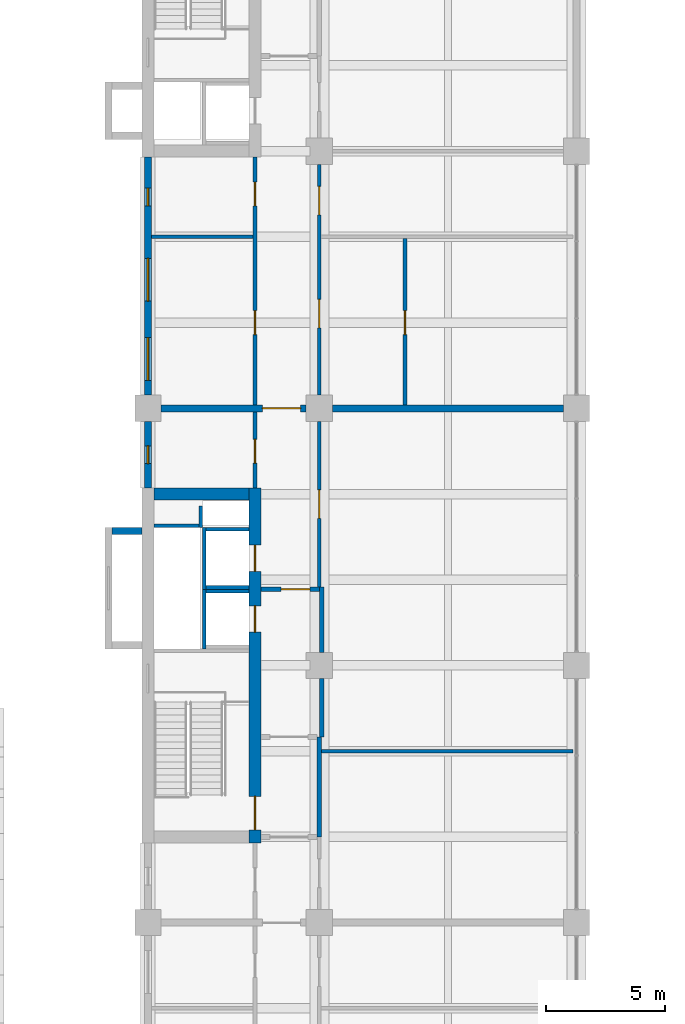
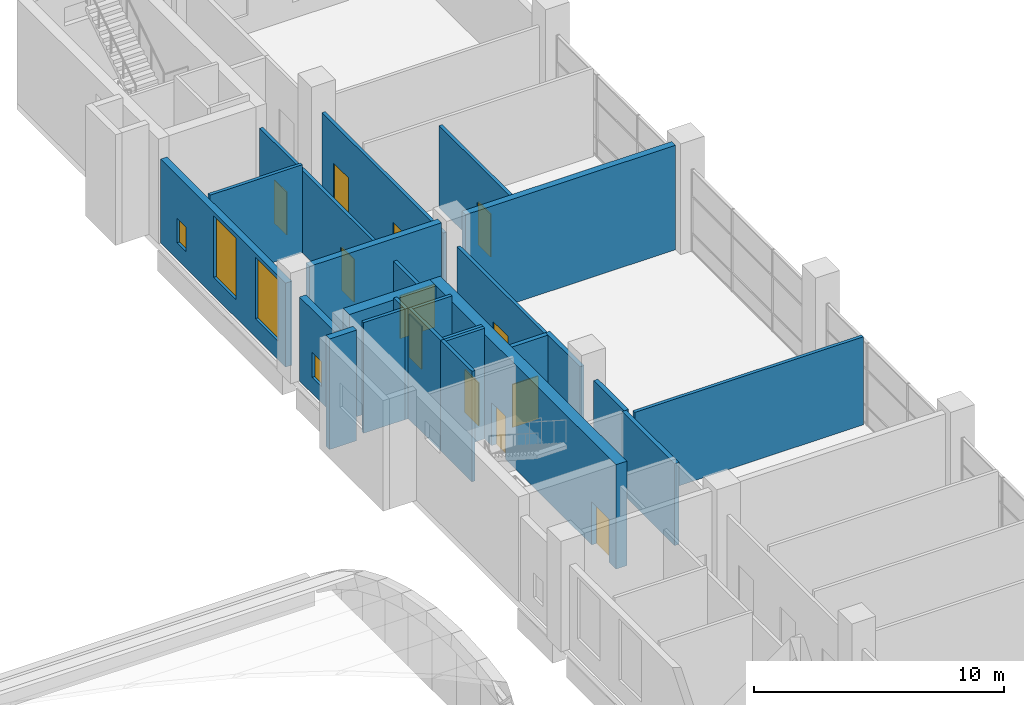
# One storey, part 18 of 32: 25 walls, 12 doors, 4 windows, 16 openings.
"""IFC4 building model written with IfcOpenShell, lengths in metres."""

from ifc_helpers import new_model, si_unit, direction, frame, frame_2d, origin, place, context, subcontext, project, spatial, rectangle, extrude, material, layer, layer_set, type_object, element, fill, save


model = new_model("IFC4")

# Units and contexts
model_context = context("Model", 3, precision=1e-05, world=origin(), true_north=direction((0.0, 1.0)))
body_context = subcontext(model_context, "Body", "Model", "MODEL_VIEW")
ifc_project = project(units=[si_unit("LENGTHUNIT", "METRE"), si_unit("AREAUNIT", "SQUARE_METRE"), si_unit("VOLUMEUNIT", "CUBIC_METRE"), si_unit("PLANEANGLEUNIT", "RADIAN"), si_unit("MASSUNIT", "GRAM", prefix="KILO")], contexts=[model_context])

# Site, building, storey
site_placement = place(None, origin())
site = spatial("IfcSite", under=ifc_project, at=site_placement, CompositionType="ELEMENT")
building_placement = place(site_placement, origin())
building = spatial("IfcBuilding", under=site, at=building_placement, Name="Basin Gate Institute", CompositionType="ELEMENT")
storey_placement = place(building_placement, frame((0.0, 0.0, 11.39990234375)))
storey = spatial("IfcBuildingStorey", under=building, at=storey_placement, Name="L02", CompositionType="ELEMENT", Elevation=11.39990234375)

# Wall
ifc_material_1 = material(Name="Fire-rated masonry", Category="masonry")
ifc_layer_1 = layer(ifc_material_1, 0.199951171875)
ifc_layer_set_1 = layer_set([ifc_layer_1], Name="Enclosure wall PW2 200 EI 60")
wall_type_1 = type_object("IfcWallType", Name="Enclosure wall PW2 200 EI 60", PredefinedType="PARTITIONING", material=ifc_layer_set_1)
wall_1_placement = place(storey_placement, frame((68.39990234375, 60.300048828125, 0.0), z_axis=(0.0, 0.0, 1.0), x_axis=(0.0, 1.0, 0.0)))
element("IfcWall", 1, at=wall_1_placement, inside=storey, type_object=wall_type_1, material=ifc_layer_set_1, Name="Smoke lobby enclosure wall PW2 L02", PredefinedType="PARTITIONING", context=body_context, shape_type="SweptSolid", body=[
    extrude(rectangle(XDim=4.199951171875, YDim=0.199951171875, at=frame_2d((2.10009765625, 0.0))), origin(), (0.0, 0.0, 1.0), 4.0),
])

# Wall, opening, door
wall_2_placement = place(storey_placement, frame((65.949951171875, 70.699951171875, 0.0), z_axis=(0.0, 0.0, 1.0), x_axis=(1.0, 0.0, 0.0)))
wall_2 = element("IfcWall", 2, at=wall_2_placement, inside=storey, type_object=wall_type_1, material=ifc_layer_set_1, Name="Emergency lift lobby wall PW2 L02", PredefinedType="PARTITIONING", context=body_context, shape_type="SweptSolid", body=[
    extrude(rectangle(XDim=2.449951171875, YDim=0.199951171875, at=frame_2d((1.22509765625, 0.0))), origin(), (0.0, 0.0, 1.0), 4.0),
])
opening_1_placement = place(wall_2_placement, frame((0.85009765625, 0.0, 0.0)))
opening_1 = element("IfcOpeningElement", 3, at=opening_1_placement, cuts=wall_2, Name="Opening DR141", PredefinedType="OPENING", context=body_context, shape_type="SweptSolid", body=[
    extrude(rectangle(XDim=1.199951171875, YDim=2.10009765625, at=frame_2d((0.60009765625, 1.050048828125))), frame((0.0, 0.10986328125, 0.0), z_axis=(0.0, -1.0, 0.0), x_axis=(1.0, 0.0, 0.0)), (0.0, 0.0, 1.0), 0.219970703125),
])
ifc_material_2 = material(Name="Steel fire door", Category="steel")
door_type_1 = type_object("IfcDoorType", Name="FD60 Emergency lift lobby door D9", OperationType="NOTDEFINED", PredefinedType="DOOR", material=ifc_material_2)
door_1_placement = place(opening_1_placement, frame((1.199951171875, 0.0, 0.0), z_axis=(0.0, 0.0, 1.0), x_axis=(-1.0, 0.0, 0.0)))
door_1 = element("IfcDoor", 4, at=door_1_placement, inside=storey, type_object=door_type_1, material=ifc_material_2, Name="Emergency lift lobby door LF1 L02", OperationType="SINGLE_SWING_LEFT", OverallHeight=2.10009765625, OverallWidth=1.199951171875, PredefinedType="DOOR", context=body_context, shape_type="SweptSolid", body=[
    extrude(rectangle(XDim=1.199951171875, YDim=2.10009765625, at=frame_2d((0.60009765625, 1.050048828125))), frame((0.0, 0.02490234375, 0.0), z_axis=(0.0, -1.0, 0.0), x_axis=(1.0, 0.0, 0.0)), (0.0, 0.0, 1.0), 0.050048828125),
])
fill(opening_1, door_1)

# Walls
wall_3_placement = place(storey_placement, frame((68.5, 64.5, 0.0), z_axis=(0.0, 0.0, 1.0), x_axis=(0.0, 1.0, 0.0)))
element("IfcWall", 5, at=wall_3_placement, inside=storey, type_object=wall_type_1, material=ifc_layer_set_1, Name="Emergency lift lobby wall PW2 L02", PredefinedType="PARTITIONING", context=body_context, shape_type="SweptSolid", body=[
    extrude(rectangle(XDim=2.449951171875, YDim=0.199951171875, at=frame_2d((1.22509765625, 0.0))), origin(), (0.0, 0.0, 1.0), 4.0),
])
wall_4_placement = place(storey_placement, frame((68.5, 68.050048828125, 0.0), z_axis=(0.0, 0.0, 1.0), x_axis=(0.0, 1.0, 0.0)))
element("IfcWall", 6, at=wall_4_placement, inside=storey, type_object=wall_type_1, material=ifc_layer_set_1, Name="Emergency lift lobby wall PW2 L02", PredefinedType="PARTITIONING", context=body_context, shape_type="SweptSolid", body=[
    extrude(rectangle(XDim=2.75, YDim=0.199951171875, at=frame_2d((1.375, 0.0))), origin(), (0.0, 0.0, 1.0), 4.0),
])

# Wall, opening, window
ifc_material_3 = material(Name="Aluminium-faced insulated panel wall", Category="aluminium")
ifc_layer_2 = layer(ifc_material_3, 0.300048828125)
ifc_layer_set_2 = layer_set([ifc_layer_2], Name="External wall EW1 EI 120")
wall_type_2 = type_object("IfcWallType", Name="External wall EW1 EI 120", PredefinedType="STANDARD", material=ifc_layer_set_2)
wall_5_placement = place(storey_placement, frame((61.199951171875, 74.949951171875, 0.0), z_axis=(0.0, 0.0, 1.0), x_axis=(0.0, 1.0, 0.0)))
wall_5 = element("IfcWall", 7, at=wall_5_placement, inside=storey, type_object=wall_type_2, material=ifc_layer_set_2, Name="External wall W facade L02 3", PredefinedType="STANDARD", context=body_context, shape_type="SweptSolid", body=[
    extrude(rectangle(XDim=2.800048828125, YDim=0.300048828125, at=frame_2d((1.39990234375, 0.0))), origin(), (0.0, 0.0, 1.0), 4.10009765625),
])
opening_2_placement = place(wall_5_placement, frame((1.02490234375, 0.0, 0.800048828125)))
opening_2 = element("IfcOpeningElement", 8, at=opening_2_placement, cuts=wall_5, Name="Opening WN3", PredefinedType="OPENING", context=body_context, shape_type="SweptSolid", body=[
    extrude(rectangle(XDim=0.75, YDim=1.199951171875, at=frame_2d((0.375, 0.60009765625))), frame((0.0, 0.16015625, 0.0), z_axis=(0.0, -1.0, 0.0), x_axis=(1.0, 0.0, 0.0)), (0.0, 0.0, 1.0), 0.320068359375),
])
ifc_material_4 = material(Name="Aluminium-framed double glazing", Category="aluminium")
window_type_1 = type_object("IfcWindowType", Name="Emergency entry panel WN3", PartitioningType="SINGLE_PANEL", PredefinedType="WINDOW", material=ifc_material_4)
window_1_placement = place(opening_2_placement, origin())
window_1 = element("IfcWindow", 9, at=window_1_placement, inside=storey, type_object=window_type_1, material=ifc_material_4, Name="Emergency entry panel W facade L02 bay 12", OverallHeight=1.199951171875, OverallWidth=0.75, PartitioningType="SINGLE_PANEL", PredefinedType="WINDOW", context=body_context, shape_type="SweptSolid", body=[
    extrude(rectangle(XDim=0.75, YDim=1.199951171875, at=frame_2d((0.375, 0.60009765625))), frame((0.0, 0.030029296875, 0.0), z_axis=(0.0, -1.0, 0.0), x_axis=(1.0, 0.0, 0.0)), (0.0, 0.0, 1.0), 0.06005859375),
])
fill(opening_2, window_1)

# Wall, openings, windows
wall_6_placement = place(storey_placement, frame((61.199951171875, 78.85009765625, 0.0), z_axis=(0.0, 0.0, 1.0), x_axis=(0.0, 1.0, 0.0)))
wall_6 = element("IfcWall", 10, at=wall_6_placement, inside=storey, type_object=wall_type_2, material=ifc_layer_set_2, Name="External wall W facade L02 4", PredefinedType="STANDARD", context=body_context, shape_type="SweptSolid", body=[
    extrude(rectangle(XDim=10.0, YDim=0.300048828125, at=frame_2d((5.0, 0.0))), origin(), (0.0, 0.0, 1.0), 4.10009765625),
])
opening_3_placement = place(wall_6_placement, frame((0.625, 0.0, 0.89990234375)))
opening_3 = element("IfcOpeningElement", 11, at=opening_3_placement, cuts=wall_6, Name="Opening WN2", PredefinedType="OPENING", context=body_context, shape_type="SweptSolid", body=[
    extrude(rectangle(XDim=1.800048828125, YDim=3.0, at=frame_2d((0.89990234375, 1.5))), frame((0.0, 0.16015625, 0.0), z_axis=(0.0, -1.0, 0.0), x_axis=(1.0, 0.0, 0.0)), (0.0, 0.0, 1.0), 0.320068359375),
])
opening_4_placement = place(wall_6_placement, frame((3.949951171875, 0.0, 0.89990234375)))
opening_4 = element("IfcOpeningElement", 12, at=opening_4_placement, cuts=wall_6, Name="Opening WN2", PredefinedType="OPENING", context=body_context, shape_type="SweptSolid", body=[
    extrude(rectangle(XDim=1.800048828125, YDim=3.0, at=frame_2d((0.89990234375, 1.5))), frame((0.0, 0.16015625, 0.0), z_axis=(0.0, -1.0, 0.0), x_axis=(1.0, 0.0, 0.0)), (0.0, 0.0, 1.0), 0.320068359375),
])
opening_5_placement = place(wall_6_placement, frame((7.949951171875, 0.0, 0.800048828125)))
opening_5 = element("IfcOpeningElement", 13, at=opening_5_placement, cuts=wall_6, Name="Opening WN3", PredefinedType="OPENING", context=body_context, shape_type="SweptSolid", body=[
    extrude(rectangle(XDim=0.75, YDim=1.199951171875, at=frame_2d((0.375, 0.60009765625))), frame((0.0, 0.16015625, 0.0), z_axis=(0.0, -1.0, 0.0), x_axis=(1.0, 0.0, 0.0)), (0.0, 0.0, 1.0), 0.320068359375),
])
window_2_placement = place(opening_5_placement, origin())
window_2 = element("IfcWindow", 14, at=window_2_placement, inside=storey, type_object=window_type_1, material=ifc_material_4, Name="Emergency entry panel W facade L02 bay 15", OverallHeight=1.199951171875, OverallWidth=0.75, PartitioningType="SINGLE_PANEL", PredefinedType="WINDOW", context=body_context, shape_type="SweptSolid", body=[
    extrude(rectangle(XDim=0.75, YDim=1.199951171875, at=frame_2d((0.375, 0.60009765625))), frame((0.0, 0.030029296875, 0.0), z_axis=(0.0, -1.0, 0.0), x_axis=(1.0, 0.0, 0.0)), (0.0, 0.0, 1.0), 0.06005859375),
])
fill(opening_5, window_2)
ifc_material_5 = material(Name="Aluminium-framed double glazing", Category="aluminium")
window_type_2 = type_object("IfcWindowType", Name="Podium window WN2", PartitioningType="SINGLE_PANEL", PredefinedType="WINDOW", material=ifc_material_5)
window_3_placement = place(opening_3_placement, origin())
window_3 = element("IfcWindow", 15, at=window_3_placement, inside=storey, type_object=window_type_2, material=ifc_material_5, Name="Podium window W facade L02 bay 13", OverallHeight=3.0, OverallWidth=1.800048828125, PartitioningType="SINGLE_PANEL", PredefinedType="WINDOW", context=body_context, shape_type="SweptSolid", body=[
    extrude(rectangle(XDim=1.800048828125, YDim=3.0, at=frame_2d((0.89990234375, 1.5))), frame((0.0, 0.030029296875, 0.0), z_axis=(0.0, -1.0, 0.0), x_axis=(1.0, 0.0, 0.0)), (0.0, 0.0, 1.0), 0.06005859375),
])
fill(opening_3, window_3)
window_4_placement = place(opening_4_placement, origin())
window_4 = element("IfcWindow", 16, at=window_4_placement, inside=storey, type_object=window_type_2, material=ifc_material_5, Name="Podium window W facade L02 bay 14", OverallHeight=3.0, OverallWidth=1.800048828125, PartitioningType="SINGLE_PANEL", PredefinedType="WINDOW", context=body_context, shape_type="SweptSolid", body=[
    extrude(rectangle(XDim=1.800048828125, YDim=3.0, at=frame_2d((0.89990234375, 1.5))), frame((0.0, 0.030029296875, 0.0), z_axis=(0.0, -1.0, 0.0), x_axis=(1.0, 0.0, 0.0)), (0.0, 0.0, 1.0), 0.06005859375),
])
fill(opening_4, window_4)

# Wall, opening, door
ifc_material_6 = material(Name="Gypsum board on steel stud", Category="steel")
ifc_layer_3 = layer(ifc_material_6, 0.14990234375)
ifc_layer_set_3 = layer_set([ifc_layer_3], Name="Gypsum board on steel stud")
wall_type_3 = type_object("IfcWallType", Name="Partition PW1 150 EI 60", PredefinedType="PARTITIONING", material=ifc_layer_set_3)
wall_7_placement = place(storey_placement, frame((65.699951171875, 74.949951171875, 0.0), z_axis=(0.0, 0.0, 1.0), x_axis=(0.0, 1.0, 0.0)))
wall_7 = element("IfcWall", 17, at=wall_7_placement, inside=storey, type_object=wall_type_3, material=ifc_layer_set_3, Name="Corridor wall PW1 L02", PredefinedType="PARTITIONING", context=body_context, shape_type="SweptSolid", body=[
    extrude(rectangle(XDim=3.199951171875, YDim=0.14990234375, at=frame_2d((1.60009765625, 0.0))), origin(), (0.0, 0.0, 1.0), 4.0),
])
opening_6_placement = place(wall_7_placement, frame((1.050048828125, 0.0, 0.0)))
opening_6 = element("IfcOpeningElement", 18, at=opening_6_placement, cuts=wall_7, Name="Opening DR136", PredefinedType="OPENING", context=body_context, shape_type="SweptSolid", body=[
    extrude(rectangle(XDim=1.0, YDim=2.10009765625, at=frame_2d((0.5, 1.050048828125))), frame((0.0, 0.0849609375, 0.0), z_axis=(0.0, -1.0, 0.0), x_axis=(1.0, 0.0, 0.0)), (0.0, 0.0, 1.0), 0.169921875),
])
ifc_material_7 = material(Name="Timber fire door", Category="wood")
door_type_2 = type_object("IfcDoorType", Name="FD30 Office door D1", OperationType="NOTDEFINED", PredefinedType="DOOR", material=ifc_material_7)
door_2_placement = place(opening_6_placement, origin())
door_2 = element("IfcDoor", 19, at=door_2_placement, inside=storey, type_object=door_type_2, material=ifc_material_7, Name="Door to Write-up Office 0205 L02", OperationType="SINGLE_SWING_LEFT", OverallHeight=2.10009765625, OverallWidth=1.0, PredefinedType="DOOR", context=body_context, shape_type="SweptSolid", body=[
    extrude(rectangle(XDim=1.0, YDim=2.10009765625, at=frame_2d((0.5, 1.050048828125))), frame((0.0, 0.02490234375, 0.0), z_axis=(0.0, -1.0, 0.0), x_axis=(1.0, 0.0, 0.0)), (0.0, 0.0, 1.0), 0.050048828125),
])
fill(opening_6, door_2)

# Wall, openings, doors
wall_8_placement = place(storey_placement, frame((65.699951171875, 78.449951171875, 0.0), z_axis=(0.0, 0.0, 1.0), x_axis=(0.0, 1.0, 0.0)))
wall_8 = element("IfcWall", 20, at=wall_8_placement, inside=storey, type_object=wall_type_3, material=ifc_layer_set_3, Name="Corridor wall PW1 L02", PredefinedType="PARTITIONING", context=body_context, shape_type="SweptSolid", body=[
    extrude(rectangle(XDim=10.400146484375, YDim=0.14990234375, at=frame_2d((5.2001953125, 0.0))), origin(), (0.0, 0.0, 1.0), 4.0),
])
opening_7_placement = place(wall_8_placement, frame((2.949951171875, 0.0, 0.0)))
opening_7 = element("IfcOpeningElement", 21, at=opening_7_placement, cuts=wall_8, Name="Opening DR137", PredefinedType="OPENING", context=body_context, shape_type="SweptSolid", body=[
    extrude(rectangle(XDim=1.0, YDim=2.10009765625, at=frame_2d((0.5, 1.050048828125))), frame((0.0, 0.0849609375, 0.0), z_axis=(0.0, -1.0, 0.0), x_axis=(1.0, 0.0, 0.0)), (0.0, 0.0, 1.0), 0.169921875),
])
opening_8_placement = place(wall_8_placement, frame((8.35009765625, 0.0, 0.0)))
opening_8 = element("IfcOpeningElement", 22, at=opening_8_placement, cuts=wall_8, Name="Opening DR138", PredefinedType="OPENING", context=body_context, shape_type="SweptSolid", body=[
    extrude(rectangle(XDim=1.0, YDim=2.10009765625, at=frame_2d((0.5, 1.050048828125))), frame((0.0, 0.0849609375, 0.0), z_axis=(0.0, -1.0, 0.0), x_axis=(1.0, 0.0, 0.0)), (0.0, 0.0, 1.0), 0.169921875),
])
door_3_placement = place(opening_7_placement, origin())
door_3 = element("IfcDoor", 23, at=door_3_placement, inside=storey, type_object=door_type_2, material=ifc_material_7, Name="Door to Write-up Office 0206 L02", OperationType="SINGLE_SWING_LEFT", OverallHeight=2.10009765625, OverallWidth=1.0, PredefinedType="DOOR", context=body_context, shape_type="SweptSolid", body=[
    extrude(rectangle(XDim=1.0, YDim=2.10009765625, at=frame_2d((0.5, 1.050048828125))), frame((0.0, 0.02490234375, 0.0), z_axis=(0.0, -1.0, 0.0), x_axis=(1.0, 0.0, 0.0)), (0.0, 0.0, 1.0), 0.050048828125),
])
fill(opening_7, door_3)
door_4_placement = place(opening_8_placement, origin())
door_4 = element("IfcDoor", 24, at=door_4_placement, inside=storey, type_object=door_type_2, material=ifc_material_7, Name="Door to Write-up Office 0207 L02", OperationType="SINGLE_SWING_RIGHT", OverallHeight=2.10009765625, OverallWidth=1.0, PredefinedType="DOOR", context=body_context, shape_type="SweptSolid", body=[
    extrude(rectangle(XDim=1.0, YDim=2.10009765625, at=frame_2d((0.5, 1.050048828125))), frame((0.0, 0.02490234375, 0.0), z_axis=(0.0, -1.0, 0.0), x_axis=(1.0, 0.0, 0.0)), (0.0, 0.0, 1.0), 0.050048828125),
])
fill(opening_8, door_4)

# Wall, opening, door
wall_9_placement = place(storey_placement, frame((68.39990234375, 70.800048828125, 0.0), z_axis=(0.0, 0.0, 1.0), x_axis=(0.0, 1.0, 0.0)))
wall_9 = element("IfcWall", 25, at=wall_9_placement, inside=storey, type_object=wall_type_3, material=ifc_layer_set_3, Name="Laboratory corridor wall PW1 L02", PredefinedType="PARTITIONING", context=body_context, shape_type="SweptSolid", body=[
    extrude(rectangle(XDim=6.949951171875, YDim=0.14990234375, at=frame_2d((3.47509765625, 0.0))), origin(), (0.0, 0.0, 1.0), 4.0),
])
opening_9_placement = place(wall_9_placement, frame((2.875, 0.0, 0.0)))
opening_9 = element("IfcOpeningElement", 26, at=opening_9_placement, cuts=wall_9, Name="Opening DR134", PredefinedType="OPENING", context=body_context, shape_type="SweptSolid", body=[
    extrude(rectangle(XDim=1.199951171875, YDim=2.10009765625, at=frame_2d((0.60009765625, 1.050048828125))), frame((0.0, 0.0849609375, 0.0), z_axis=(0.0, -1.0, 0.0), x_axis=(1.0, 0.0, 0.0)), (0.0, 0.0, 1.0), 0.169921875),
])
ifc_material_8 = material(Name="Timber fire door", Category="wood")
door_type_3 = type_object("IfcDoorType", Name="FD30 Laboratory door D2", OperationType="DOUBLE_DOOR_SINGLE_SWING", PredefinedType="DOOR", material=ifc_material_8)
door_5_placement = place(opening_9_placement, frame((1.199951171875, 0.0, 0.0), z_axis=(0.0, 0.0, 1.0), x_axis=(-1.0, 0.0, 0.0)))
door_5 = element("IfcDoor", 27, at=door_5_placement, inside=storey, type_object=door_type_3, material=ifc_material_8, Name="Door to Seminar Room 0221 L02", OperationType="DOUBLE_DOOR_SINGLE_SWING", OverallHeight=2.10009765625, OverallWidth=1.199951171875, PredefinedType="DOOR", context=body_context, shape_type="SweptSolid", body=[
    extrude(rectangle(XDim=1.199951171875, YDim=2.10009765625, at=frame_2d((0.60009765625, 1.050048828125))), frame((0.0, 0.02490234375, 0.0), z_axis=(0.0, -1.0, 0.0), x_axis=(1.0, 0.0, 0.0)), (0.0, 0.0, 1.0), 0.050048828125),
])
fill(opening_9, door_5)

# Wall, openings, doors
wall_10_placement = place(storey_placement, frame((68.39990234375, 78.85009765625, 0.0), z_axis=(0.0, 0.0, 1.0), x_axis=(0.0, 1.0, 0.0)))
wall_10 = element("IfcWall", 28, at=wall_10_placement, inside=storey, type_object=wall_type_3, material=ifc_layer_set_3, Name="Laboratory corridor wall PW1 L02", PredefinedType="PARTITIONING", context=body_context, shape_type="SweptSolid", body=[
    extrude(rectangle(XDim=9.699951171875, YDim=0.14990234375, at=frame_2d((4.85009765625, 0.0))), origin(), (0.0, 0.0, 1.0), 4.0),
])
opening_10_placement = place(wall_10_placement, frame((2.824951171875, 0.0, 0.0)))
opening_10 = element("IfcOpeningElement", 29, at=opening_10_placement, cuts=wall_10, Name="Opening DR129", PredefinedType="OPENING", context=body_context, shape_type="SweptSolid", body=[
    extrude(rectangle(XDim=1.199951171875, YDim=2.10009765625, at=frame_2d((0.60009765625, 1.050048828125))), frame((0.0, 0.0849609375, 0.0), z_axis=(0.0, -1.0, 0.0), x_axis=(1.0, 0.0, 0.0)), (0.0, 0.0, 1.0), 0.169921875),
])
opening_11_placement = place(wall_10_placement, frame((7.574951171875, 0.0, 0.0)))
opening_11 = element("IfcOpeningElement", 30, at=opening_11_placement, cuts=wall_10, Name="Opening DR131", PredefinedType="OPENING", context=body_context, shape_type="SweptSolid", body=[
    extrude(rectangle(XDim=1.199951171875, YDim=2.10009765625, at=frame_2d((0.60009765625, 1.050048828125))), frame((0.0, 0.0849609375, 0.0), z_axis=(0.0, -1.0, 0.0), x_axis=(1.0, 0.0, 0.0)), (0.0, 0.0, 1.0), 0.169921875),
])
door_6_placement = place(opening_10_placement, frame((1.199951171875, 0.0, 0.0), z_axis=(0.0, 0.0, 1.0), x_axis=(-1.0, 0.0, 0.0)))
door_6 = element("IfcDoor", 31, at=door_6_placement, inside=storey, type_object=door_type_3, material=ifc_material_8, Name="Door to Gowning Airlock 0222 L02", OperationType="DOUBLE_DOOR_SINGLE_SWING", OverallHeight=2.10009765625, OverallWidth=1.199951171875, PredefinedType="DOOR", context=body_context, shape_type="SweptSolid", body=[
    extrude(rectangle(XDim=1.199951171875, YDim=2.10009765625, at=frame_2d((0.60009765625, 1.050048828125))), frame((0.0, 0.02490234375, 0.0), z_axis=(0.0, -1.0, 0.0), x_axis=(1.0, 0.0, 0.0)), (0.0, 0.0, 1.0), 0.050048828125),
])
fill(opening_10, door_6)
door_7_placement = place(opening_11_placement, frame((1.199951171875, 0.0, 0.0), z_axis=(0.0, 0.0, 1.0), x_axis=(-1.0, 0.0, 0.0)))
door_7 = element("IfcDoor", 32, at=door_7_placement, inside=storey, type_object=door_type_3, material=ifc_material_8, Name="Door to Meeting Room 0224 L02", OperationType="DOUBLE_DOOR_SINGLE_SWING", OverallHeight=2.10009765625, OverallWidth=1.199951171875, PredefinedType="DOOR", context=body_context, shape_type="SweptSolid", body=[
    extrude(rectangle(XDim=1.199951171875, YDim=2.10009765625, at=frame_2d((0.60009765625, 1.050048828125))), frame((0.0, 0.02490234375, 0.0), z_axis=(0.0, -1.0, 0.0), x_axis=(1.0, 0.0, 0.0)), (0.0, 0.0, 1.0), 0.050048828125),
])
fill(opening_11, door_7)

# Wall, opening, door
wall_11_placement = place(storey_placement, frame((72.0, 78.449951171875, 0.0), z_axis=(0.0, 0.0, 1.0), x_axis=(0.0, 1.0, 0.0)))
wall_11 = element("IfcWall", 33, at=wall_11_placement, inside=storey, type_object=wall_type_3, material=ifc_layer_set_3, Name="Clean room wall PW1 L02", PredefinedType="PARTITIONING", context=body_context, shape_type="SweptSolid", body=[
    extrude(rectangle(XDim=6.97509765625, YDim=0.14990234375, at=frame_2d((3.487548828125, 0.0))), origin(), (0.0, 0.0, 1.0), 4.0),
])
opening_12_placement = place(wall_11_placement, frame((2.949951171875, 0.0, 0.0)))
opening_12 = element("IfcOpeningElement", 34, at=opening_12_placement, cuts=wall_11, Name="Opening DR124", PredefinedType="OPENING", context=body_context, shape_type="SweptSolid", body=[
    extrude(rectangle(XDim=1.0, YDim=2.10009765625, at=frame_2d((0.5, 1.050048828125))), frame((0.0, 0.0849609375, 0.0), z_axis=(0.0, -1.0, 0.0), x_axis=(1.0, 0.0, 0.0)), (0.0, 0.0, 1.0), 0.169921875),
])
ifc_material_9 = material(Name="Steel fire door", Category="steel")
door_type_4 = type_object("IfcDoorType", Name="FD30 Airlock door D5", OperationType="NOTDEFINED", PredefinedType="DOOR", material=ifc_material_9)
door_8_placement = place(opening_12_placement, frame((1.0, 0.0, 0.0), z_axis=(0.0, 0.0, 1.0), x_axis=(-1.0, 0.0, 0.0)))
door_8 = element("IfcDoor", 35, at=door_8_placement, inside=storey, type_object=door_type_4, material=ifc_material_9, Name="Clean room entry door Clean Room ISO 6 0222 L02", OperationType="SINGLE_SWING_RIGHT", OverallHeight=2.10009765625, OverallWidth=1.0, PredefinedType="DOOR", context=body_context, shape_type="SweptSolid", body=[
    extrude(rectangle(XDim=1.0, YDim=2.10009765625, at=frame_2d((0.5, 1.050048828125))), frame((0.0, 0.02490234375, 0.0), z_axis=(0.0, -1.0, 0.0), x_axis=(1.0, 0.0, 0.0)), (0.0, 0.0, 1.0), 0.050048828125),
])
fill(opening_12, door_8)

# Walls
wall_12_placement = place(storey_placement, frame((68.5, 63.89990234375, 0.0), z_axis=(0.0, 0.0, 1.0), x_axis=(1.0, 0.0, 0.0)))
element("IfcWall", 36, at=wall_12_placement, inside=storey, type_object=wall_type_3, material=ifc_layer_set_3, Name="Laboratory partition PW1 L02", PredefinedType="PARTITIONING", context=body_context, shape_type="SweptSolid", body=[
    extrude(rectangle(XDim=10.550048828125, YDim=0.14990234375, at=frame_2d((5.27490234375, 0.0))), origin(), (0.0, 0.0, 1.0), 4.300048828125),
])
ifc_material_10 = material(Name="Gypsum board on steel stud", Category="steel")
ifc_layer_4 = layer(ifc_material_10, 0.14990234375)
ifc_layer_set_4 = layer_set([ifc_layer_4], Name="Gypsum board on steel stud")
wall_type_4 = type_object("IfcWallType", Name="Partition PW4 150", PredefinedType="PARTITIONING", material=ifc_layer_set_4)
wall_13_placement = place(storey_placement, frame((61.35009765625, 85.5, 0.0), z_axis=(0.0, 0.0, 1.0), x_axis=(1.0, 0.0, 0.0)))
element("IfcWall", 37, at=wall_13_placement, inside=storey, type_object=wall_type_4, material=ifc_layer_set_4, Name="Office partition PW4 L02", PredefinedType="PARTITIONING", context=body_context, shape_type="SweptSolid", body=[
    extrude(rectangle(XDim=4.27490234375, YDim=0.14990234375, at=frame_2d((2.137451171875, 0.0))), origin(), (0.0, 0.0, 1.0), 4.300048828125),
])
ifc_material_11 = material(Name="Concrete 40 MPa", Category="concrete")
ifc_layer_5 = layer(ifc_material_11, 0.14990234375)
ifc_layer_set_5 = layer_set([ifc_layer_5], Name="Concrete 40 MPa")
wall_type_5 = type_object("IfcWallType", Name="Wall LS1 lift shaft enclosure R180", PredefinedType="SOLIDWALL", material=ifc_layer_set_5)
wall_14_placement = place(storey_placement, frame((63.574951171875, 68.199951171875, 0.0), z_axis=(0.0, 0.0, 1.0), x_axis=(0.0, 1.0, 0.0)))
element("IfcWall", 38, at=wall_14_placement, inside=storey, type_object=wall_type_5, material=ifc_layer_set_5, Name="Lift shaft enclosure LF1 L02 UL", PredefinedType="SOLIDWALL", context=body_context, shape_type="SweptSolid", body=[
    extrude(rectangle(XDim=2.5, YDim=0.14990234375, at=frame_2d((1.25, 0.0))), origin(), (0.0, 0.0, 1.0), 5.400146484375),
])
wall_15_placement = place(storey_placement, frame((63.64990234375, 70.625, 0.0), z_axis=(0.0, 0.0, 1.0), x_axis=(1.0, 0.0, 0.0)))
element("IfcWall", 39, at=wall_15_placement, inside=storey, type_object=wall_type_5, material=ifc_layer_set_5, Name="Lift shaft enclosure LF1 L02 RH", PredefinedType="SOLIDWALL", context=body_context, shape_type="SweptSolid", body=[
    extrude(rectangle(XDim=1.800048828125, YDim=0.14990234375, at=frame_2d((0.89990234375, 0.0))), origin(), (0.0, 0.0, 1.0), 5.400146484375),
])
wall_16_placement = place(storey_placement, frame((63.574951171875, 70.699951171875, 0.0), z_axis=(0.0, 0.0, 1.0), x_axis=(0.0, 1.0, 0.0)))
element("IfcWall", 40, at=wall_16_placement, inside=storey, type_object=wall_type_5, material=ifc_layer_set_5, Name="Lift shaft enclosure LP2 L02 UL", PredefinedType="SOLIDWALL", context=body_context, shape_type="SweptSolid", body=[
    extrude(rectangle(XDim=2.60009765625, YDim=0.14990234375, at=frame_2d((1.300048828125, 0.0))), origin(), (0.0, 0.0, 1.0), 5.400146484375),
])
for number, where, z_axis, x_axis, name in (
    (41, (63.64990234375, 70.77490234375, 0.0), (0.0, 0.0, 1.0), (1.0, 0.0, 0.0), "Lift shaft enclosure LP2 L02 RL"),
    (42, (63.64990234375, 73.22509765625, 0.0), (0.0, 0.0, 1.0), (1.0, 0.0, 0.0), "Lift shaft enclosure LP2 L02 RH"),
):
    element("IfcWall", number, at=place(storey_placement, frame(where, z_axis=z_axis, x_axis=x_axis)), inside=storey, type_object=wall_type_5, material=ifc_layer_set_5, Name=name, PredefinedType="SOLIDWALL", context=body_context, shape_type="SweptSolid", body=[
        extrude(rectangle(XDim=1.800048828125, YDim=0.14990234375, at=frame_2d((0.89990234375, 0.0))), origin(), (0.0, 0.0, 1.0), 5.400146484375),
    ])
ifc_material_12 = material(Name="Concrete 40 MPa", Category="concrete")
ifc_layer_6 = layer(ifc_material_12, 0.14990234375)
ifc_layer_set_6 = layer_set([ifc_layer_6], Name="Concrete 40 MPa")
wall_type_6 = type_object("IfcWallType", Name="Wall RS1 riser shaft enclosure R180", PredefinedType="SOLIDWALL", material=ifc_layer_set_6)
wall_17_placement = place(storey_placement, frame((61.449951171875, 73.375, 0.0), z_axis=(0.0, 0.0, 1.0), x_axis=(1.0, 0.0, 0.0)))
element("IfcWall", 43, at=wall_17_placement, inside=storey, type_object=wall_type_6, material=ifc_layer_set_6, Name="Riser shaft enclosure WM L02 N", PredefinedType="SOLIDWALL", context=body_context, shape_type="SweptSolid", body=[
    extrude(rectangle(XDim=1.900146484375, YDim=0.14990234375, at=frame_2d((0.9501953125, 0.0))), origin(), (0.0, 0.0, 1.0), 5.400146484375),
])
wall_18_placement = place(storey_placement, frame((63.425048828125, 73.300048828125, 0.0), z_axis=(0.0, 0.0, 1.0), x_axis=(0.0, 1.0, 0.0)))
element("IfcWall", 44, at=wall_18_placement, inside=storey, type_object=wall_type_6, material=ifc_layer_set_6, Name="Riser shaft enclosure WM L02 W", PredefinedType="SOLIDWALL", context=body_context, shape_type="SweptSolid", body=[
    extrude(rectangle(XDim=0.89990234375, YDim=0.14990234375, at=frame_2d((0.449951171875, 0.0))), origin(), (0.0, 0.0, 1.0), 5.400146484375),
])
ifc_material_13 = material(Name="Concrete 50 MPa", Category="concrete")
ifc_layer_7 = layer(ifc_material_13, 0.300048828125)
ifc_layer_set_7 = layer_set([ifc_layer_7], Name="Concrete 50 MPa")
wall_type_7 = type_object("IfcWallType", Name="Wall SK1 R180", PredefinedType="SHEAR", material=ifc_layer_set_7)
wall_19_placement = place(storey_placement, frame((60.949951171875, 73.14990234375, 0.0), z_axis=(0.0, 0.0, 1.0), x_axis=(-1.0, 0.0, 0.0)))
element("IfcWall", 45, at=wall_19_placement, inside=storey, type_object=wall_type_7, material=ifc_layer_set_7, Name="Spine riser stack wall SK1 WM B L02", PredefinedType="SHEAR", context=body_context, shape_type="SweptSolid", body=[
    extrude(rectangle(XDim=1.25, YDim=0.300048828125, at=frame_2d((0.625, 0.0))), origin(), (0.0, 0.0, 1.0), 5.400146484375),
])

# Wall, openings, doors
ifc_material_14 = material(Name="Concrete 60 MPa", Category="concrete")
ifc_layer_8 = layer(ifc_material_14, 0.5)
ifc_layer_set_8 = layer_set([ifc_layer_8], Name="Concrete 60 MPa")
wall_type_8 = type_object("IfcWallType", Name="Wall SW1 R180", PredefinedType="SHEAR", material=ifc_layer_set_8)
wall_20_placement = place(storey_placement, frame((65.699951171875, 60.050048828125, 0.0), z_axis=(0.0, 0.0, 1.0), x_axis=(0.0, 1.0, 0.0)))
wall_20 = element("IfcWall", 46, at=wall_20_placement, inside=storey, type_object=wall_type_8, material=ifc_layer_set_8, Name="WALL/L02/WM/C", PredefinedType="SHEAR", context=body_context, shape_type="SweptSolid", body=[
    extrude(rectangle(XDim=14.89990234375, YDim=0.5, at=frame_2d((7.449951171875, 0.0))), origin(), (0.0, 0.0, 1.0), 5.10009765625),
])
opening_13_placement = place(wall_20_placement, frame((0.550048828125, 0.0, 0.0)))
opening_13 = element("IfcOpeningElement", 47, at=opening_13_placement, cuts=wall_20, Name="Opening DS014", PredefinedType="OPENING", context=body_context, shape_type="SweptSolid", body=[
    extrude(rectangle(XDim=1.39990234375, YDim=2.10009765625, at=frame_2d((0.699951171875, 1.050048828125))), frame((0.0, 0.260009765625, 0.0), z_axis=(0.0, -1.0, 0.0), x_axis=(1.0, 0.0, 0.0)), (0.0, 0.0, 1.0), 0.52001953125),
])
opening_14_placement = place(wall_20_placement, frame((8.85009765625, 0.0, 0.0)))
opening_14 = element("IfcOpeningElement", 48, at=opening_14_placement, cuts=wall_20, Name="Opening LD022", PredefinedType="OPENING", context=body_context, shape_type="SweptSolid", body=[
    extrude(rectangle(XDim=1.10009765625, YDim=2.10009765625, at=frame_2d((0.550048828125, 1.050048828125))), frame((0.0, 0.260009765625, 0.0), z_axis=(0.0, -1.0, 0.0), x_axis=(1.0, 0.0, 0.0)), (0.0, 0.0, 1.0), 0.52001953125),
])
opening_15_placement = place(wall_20_placement, frame((11.39990234375, 0.0, 0.0)))
opening_15 = element("IfcOpeningElement", 49, at=opening_15_placement, cuts=wall_20, Name="Opening LD040", PredefinedType="OPENING", context=body_context, shape_type="SweptSolid", body=[
    extrude(rectangle(XDim=1.10009765625, YDim=2.10009765625, at=frame_2d((0.550048828125, 1.050048828125))), frame((0.0, 0.260009765625, 0.0), z_axis=(0.0, -1.0, 0.0), x_axis=(1.0, 0.0, 0.0)), (0.0, 0.0, 1.0), 0.52001953125),
])
ifc_material_15 = material(Name="Steel fire door", Category="steel")
door_type_5 = type_object("IfcDoorType", Name="FD30 Stair enclosure door DS", OperationType="DOUBLE_DOOR_SINGLE_SWING", PredefinedType="DOOR", material=ifc_material_15)
door_9_placement = place(opening_13_placement, origin())
door_9 = element("IfcDoor", 50, at=door_9_placement, inside=storey, type_object=door_type_5, material=ifc_material_15, Name="Stair enclosure door ST-WM L02", OperationType="DOUBLE_DOOR_SINGLE_SWING", OverallHeight=2.10009765625, OverallWidth=1.39990234375, PredefinedType="DOOR", context=body_context, shape_type="SweptSolid", body=[
    extrude(rectangle(XDim=1.39990234375, YDim=2.10009765625, at=frame_2d((0.699951171875, 1.050048828125))), frame((0.0, 0.02490234375, 0.0), z_axis=(0.0, -1.0, 0.0), x_axis=(1.0, 0.0, 0.0)), (0.0, 0.0, 1.0), 0.050048828125),
])
fill(opening_13, door_9)
ifc_material_16 = material(Name="Stainless steel", Category="steel")
door_type_6 = type_object("IfcDoorType", Name="FD60 Lift landing door LD", OperationType="SLIDING_TO_LEFT", PredefinedType="DOOR", material=ifc_material_16)
door_10_placement = place(opening_14_placement, origin())
door_10 = element("IfcDoor", 51, at=door_10_placement, inside=storey, type_object=door_type_6, material=ifc_material_16, Name="Lift landing door LF1 L02", OperationType="SLIDING_TO_LEFT", OverallHeight=2.10009765625, OverallWidth=1.10009765625, PredefinedType="DOOR", context=body_context, shape_type="SweptSolid", body=[
    extrude(rectangle(XDim=1.10009765625, YDim=2.10009765625, at=frame_2d((0.550048828125, 1.050048828125))), frame((0.0, 0.02490234375, 0.0), z_axis=(0.0, -1.0, 0.0), x_axis=(1.0, 0.0, 0.0)), (0.0, 0.0, 1.0), 0.050048828125),
])
fill(opening_14, door_10)
door_11_placement = place(opening_15_placement, origin())
door_11 = element("IfcDoor", 52, at=door_11_placement, inside=storey, type_object=door_type_6, material=ifc_material_16, Name="Lift landing door LP2 L02", OperationType="SLIDING_TO_LEFT", OverallHeight=2.10009765625, OverallWidth=1.10009765625, PredefinedType="DOOR", context=body_context, shape_type="SweptSolid", body=[
    extrude(rectangle(XDim=1.10009765625, YDim=2.10009765625, at=frame_2d((0.550048828125, 1.050048828125))), frame((0.0, 0.02490234375, 0.0), z_axis=(0.0, -1.0, 0.0), x_axis=(1.0, 0.0, 0.0)), (0.0, 0.0, 1.0), 0.050048828125),
])
fill(opening_15, door_11)

# Wall
wall_21_placement = place(storey_placement, frame((61.449951171875, 74.699951171875, 0.0), z_axis=(0.0, 0.0, 1.0), x_axis=(1.0, 0.0, 0.0)))
element("IfcWall", 53, at=wall_21_placement, inside=storey, type_object=wall_type_8, material=ifc_layer_set_8, Name="WALL/L02/WM/N", PredefinedType="SHEAR", context=body_context, shape_type="SweptSolid", body=[
    extrude(rectangle(XDim=4.0, YDim=0.5, at=frame_2d((2.0, 0.0))), origin(), (0.0, 0.0, 1.0), 5.10009765625),
])

# Wall, opening, door
ifc_material_17 = material(Name="Concrete 50 MPa", Category="concrete")
ifc_layer_9 = layer(ifc_material_17, 0.300048828125)
ifc_layer_set_9 = layer_set([ifc_layer_9], Name="Concrete 50 MPa")
wall_type_9 = type_object("IfcWallType", Name="Wall XW1 R180", PredefinedType="SHEAR", material=ifc_layer_set_9)
wall_22_placement = place(storey_placement, frame((61.75, 78.300048828125, 0.0), z_axis=(0.0, 0.0, 1.0), x_axis=(1.0, 0.0, 0.0)))
wall_22 = element("IfcWall", 54, at=wall_22_placement, inside=storey, type_object=wall_type_9, material=ifc_layer_set_9, Name="WALL/L02/WXE/1", PredefinedType="SHEAR", context=body_context, shape_type="SweptSolid", body=[
    extrude(rectangle(XDim=6.10009765625, YDim=0.300048828125, at=frame_2d((3.050048828125, 0.0))), origin(), (0.0, 0.0, 1.0), 5.10009765625),
])
opening_16_placement = place(wall_22_placement, frame((4.262451171875, 0.0, 0.0)))
opening_16 = element("IfcOpeningElement", 55, at=opening_16_placement, cuts=wall_22, Name="Opening DR147", PredefinedType="OPENING", context=body_context, shape_type="SweptSolid", body=[
    extrude(rectangle(XDim=1.60009765625, YDim=2.10009765625, at=frame_2d((0.800048828125, 1.050048828125))), frame((0.0, 0.16015625, 0.0), z_axis=(0.0, -1.0, 0.0), x_axis=(1.0, 0.0, 0.0)), (0.0, 0.0, 1.0), 0.320068359375),
])
ifc_material_18 = material(Name="Steel fire door", Category="steel")
door_type_7 = type_object("IfcDoorType", Name="FD60 Compartment door pair D7", OperationType="DOUBLE_DOOR_SINGLE_SWING", PredefinedType="DOOR", material=ifc_material_18)
door_12_placement = place(opening_16_placement, frame((1.60009765625, 0.0, 0.0), z_axis=(0.0, 0.0, 1.0), x_axis=(-1.0, 0.0, 0.0)))
door_12 = element("IfcDoor", 56, at=door_12_placement, inside=storey, type_object=door_type_7, material=ifc_material_18, Name="Compartment door pair L02 W2 L02", OperationType="DOUBLE_DOOR_SINGLE_SWING", OverallHeight=2.10009765625, OverallWidth=1.60009765625, PredefinedType="DOOR", context=body_context, shape_type="SweptSolid", body=[
    extrude(rectangle(XDim=1.60009765625, YDim=2.10009765625, at=frame_2d((0.800048828125, 1.050048828125))), frame((0.0, 0.02490234375, 0.0), z_axis=(0.0, -1.0, 0.0), x_axis=(1.0, 0.0, 0.0)), (0.0, 0.0, 1.0), 0.050048828125),
])
fill(opening_16, door_12)

# Wall
wall_23_placement = place(storey_placement, frame((68.949951171875, 78.300048828125, 0.0), z_axis=(0.0, 0.0, 1.0), x_axis=(1.0, 0.0, 0.0)))
element("IfcWall", 57, at=wall_23_placement, inside=storey, type_object=wall_type_9, material=ifc_layer_set_9, Name="WALL/L02/WXE/2", PredefinedType="SHEAR", context=body_context, shape_type="SweptSolid", body=[
    extrude(rectangle(XDim=9.699951171875, YDim=0.300048828125, at=frame_2d((4.85009765625, 0.0))), origin(), (0.0, 0.0, 1.0), 5.10009765625),
])

save(model, "model.ifc")
